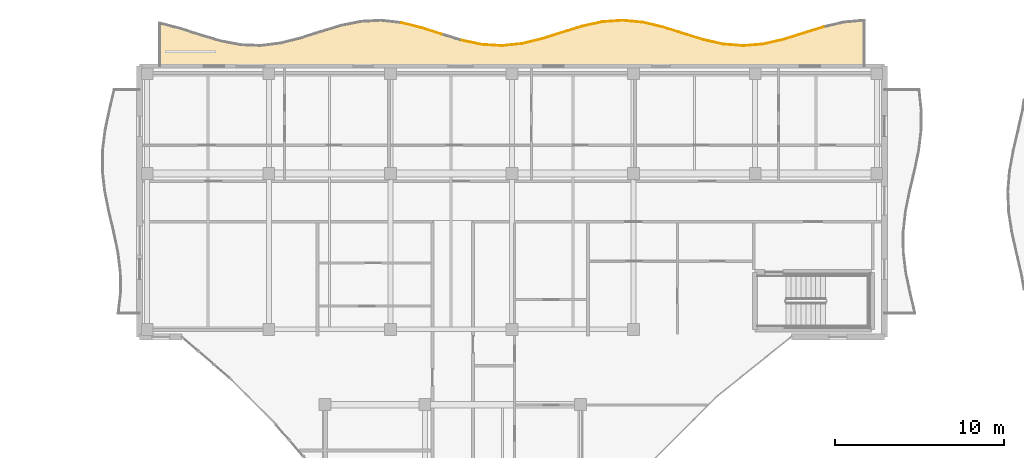
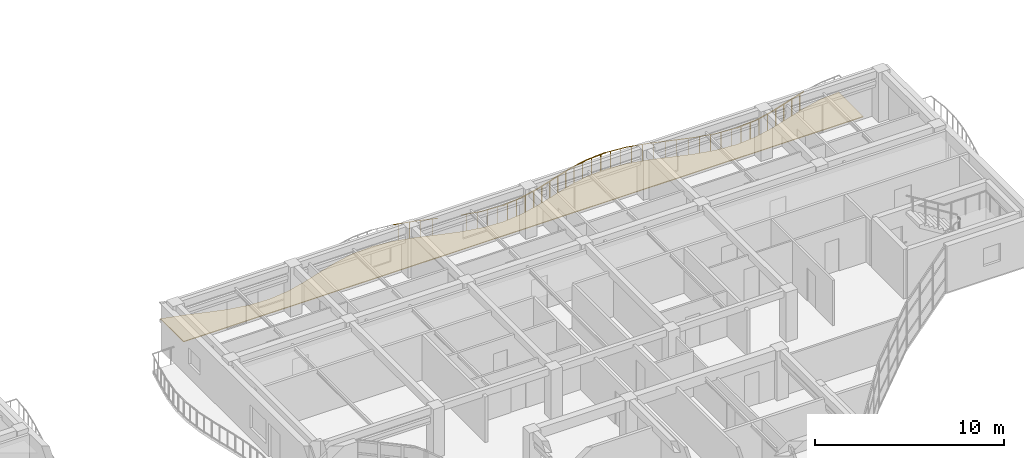
# One storey, part 121 of 128: 20 railings, 1 covering.
"""IFC4 building model written with IfcOpenShell, lengths in metres."""

from ifc_helpers import new_model, si_unit, direction, frame, origin, origin_2d, place, context, subcontext, project, spatial, polyline, circle, outline, extrude, material, layer, layer_set, type_object, element, save


model = new_model("IFC4")

# Units and contexts
model_context = context("Model", 3, precision=1e-05, world=origin(), true_north=direction((0.0, 1.0)))
body_context = subcontext(model_context, "Body", "Model", "MODEL_VIEW")
ifc_project = project(units=[si_unit("LENGTHUNIT", "METRE"), si_unit("AREAUNIT", "SQUARE_METRE"), si_unit("VOLUMEUNIT", "CUBIC_METRE"), si_unit("PLANEANGLEUNIT", "RADIAN"), si_unit("MASSUNIT", "GRAM", prefix="KILO")], contexts=[model_context])

# Site, building, storey
site_placement = place(None, origin())
site = spatial("IfcSite", under=ifc_project, at=site_placement, CompositionType="ELEMENT")
building_placement = place(site_placement, origin())
building = spatial("IfcBuilding", under=site, at=building_placement, Name="Keldmere Railside Commons", CompositionType="ELEMENT")
storey_placement = place(building_placement, frame((0.0, 0.0, 4.159912109375)))
storey = spatial("IfcBuildingStorey", under=building, at=storey_placement, Name="L01", CompositionType="ELEMENT", Elevation=4.159912109375)

# Railings
ifc_material_1 = material(Name="Steel F-24 (S235)", Category="steel")
railing_type = type_object("IfcRailingType", Name="Balcony & Terrace Steel Balustrade 1100", PredefinedType="BALUSTRADE", material=ifc_material_1)
railing_1_placement = place(storey_placement, frame((108.962890625, 118.560791015625, 0.0)))
element("IfcRailing", 1, at=railing_1_placement, inside=storey, type_object=railing_type, Name="GR-1 GRD-L01-1857", PredefinedType="BALUSTRADE", context=body_context, shape_type="SweptSolid", body=[
    extrude(circle(Radius=0.02392578125, at=origin_2d()), frame((0.0, 0.0, 1.076171875), z_axis=(0.970329812959, -0.241785140328, 0.0), x_axis=(0.241785140328, 0.970329812959, 0.0)), (0.0, 0.0, 1.0), 1.224853515625),
    extrude(circle(Radius=0.02099609375, at=origin_2d()), frame((0.297119140625, -0.073974609375, 0.0)), (0.0, 0.0, 1.0), 1.048095703125),
    extrude(circle(Radius=0.02099609375, at=origin_2d()), frame((0.891357421875, -0.22216796875, 0.0)), (0.0, 0.0, 1.0), 1.048095703125),
])
railing_2_placement = place(storey_placement, frame((110.1513671875, 118.2646484375, 0.0)))
element("IfcRailing", 2, at=railing_2_placement, inside=storey, type_object=railing_type, Name="GR-1 GRD-L01-1858", PredefinedType="BALUSTRADE", context=body_context, shape_type="SweptSolid", body=[
    extrude(circle(Radius=0.02392578125, at=origin_2d()), frame((0.0, 0.0, 1.076171875), z_axis=(0.95276888788, -0.303696306016, 0.0), x_axis=(0.303696306016, 0.95276888788, 0.0)), (0.0, 0.0, 1.0), 1.24755859375),
    extrude(circle(Radius=0.02099609375, at=origin_2d()), frame((0.297119140625, -0.0947265625, 0.0)), (0.0, 0.0, 1.0), 1.048095703125),
    extrude(circle(Radius=0.02099609375, at=origin_2d()), frame((0.8916015625, -0.2841796875, 0.0)), (0.0, 0.0, 1.0), 1.048095703125),
])
railing_3_placement = place(storey_placement, frame((112.528564453125, 117.523681640625, 0.0)))
element("IfcRailing", 3, at=railing_3_placement, inside=storey, type_object=railing_type, Name="GR-1 GRD-L01-1860", PredefinedType="BALUSTRADE", context=body_context, shape_type="SweptSolid", body=[
    extrude(circle(Radius=0.02392578125, at=origin_2d()), frame((0.0, 0.0, 1.076171875), z_axis=(0.978624374575, -0.205655861789, 0.0), x_axis=(0.205655861789, 0.978624374575, 0.0)), (0.0, 0.0, 1.0), 1.21435546875),
    extrude(circle(Radius=0.02099609375, at=origin_2d()), frame((0.297119140625, -0.0625, 0.0)), (0.0, 0.0, 1.0), 1.048095703125),
    extrude(circle(Radius=0.02099609375, at=origin_2d()), frame((0.891357421875, -0.187255859375, 0.0)), (0.0, 0.0, 1.0), 1.048095703125),
])
railing_4_placement = place(storey_placement, frame((113.717041015625, 117.27392578125, 0.0)))
element("IfcRailing", 4, at=railing_4_placement, inside=storey, type_object=railing_type, Name="GR-1 GRD-L01-1861", PredefinedType="BALUSTRADE", context=body_context, shape_type="SweptSolid", body=[
    extrude(circle(Radius=0.02392578125, at=origin_2d()), frame((0.0, 0.0, 1.076171875), z_axis=(0.998169621829, -0.060476491772, 0.0), x_axis=(0.060476491772, 0.998169621829, 0.0)), (0.0, 0.0, 1.0), 1.19091796875),
    extrude(circle(Radius=0.02099609375, at=origin_2d()), frame((0.297119140625, -0.01806640625, 0.0)), (0.0, 0.0, 1.0), 1.048095703125),
    extrude(circle(Radius=0.02099609375, at=origin_2d()), frame((0.8916015625, -0.053955078125, 0.0)), (0.0, 0.0, 1.0), 1.048095703125),
])
railing_5_placement = place(storey_placement, frame((114.90576171875, 117.201904296875, 0.0)))
element("IfcRailing", 5, at=railing_5_placement, inside=storey, type_object=railing_type, Name="GR-1 GRD-L01-1862", PredefinedType="BALUSTRADE", context=body_context, shape_type="SweptSolid", body=[
    extrude(circle(Radius=0.02392578125, at=origin_2d()), frame((0.0, 0.0, 1.076171875), z_axis=(0.994535636773, 0.104397639768, 0.0), x_axis=(-0.104397639768, 0.994535636773, 0.0)), (0.0, 0.0, 1.0), 1.195068359375),
    extrude(circle(Radius=0.02099609375, at=origin_2d()), frame((0.297119140625, 0.03125, 0.0)), (0.0, 0.0, 1.0), 1.048095703125),
    extrude(circle(Radius=0.02099609375, at=origin_2d()), frame((0.891357421875, 0.093505859375, 0.0)), (0.0, 0.0, 1.0), 1.048095703125),
])
railing_6_placement = place(storey_placement, frame((116.09423828125, 117.32666015625, 0.0)))
element("IfcRailing", 6, at=railing_6_placement, inside=storey, type_object=railing_type, Name="GR-1 GRD-L01-1863", PredefinedType="BALUSTRADE", context=body_context, shape_type="SweptSolid", body=[
    extrude(circle(Radius=0.02392578125, at=origin_2d()), frame((0.0, 0.0, 1.076171875), z_axis=(0.971775277588, 0.235908477739, 0.0), x_axis=(-0.235908477739, 0.971775277588, 0.0)), (0.0, 0.0, 1.0), 1.22314453125),
    extrude(circle(Radius=0.02099609375, at=origin_2d()), frame((0.297119140625, 0.072265625, 0.0)), (0.0, 0.0, 1.0), 1.048095703125),
    extrude(circle(Radius=0.02099609375, at=origin_2d()), frame((0.8916015625, 0.21630859375, 0.0)), (0.0, 0.0, 1.0), 1.048095703125),
])
railing_7_placement = place(storey_placement, frame((117.282958984375, 117.615234375, 0.0)))
element("IfcRailing", 7, at=railing_7_placement, inside=storey, type_object=railing_type, Name="GR-1 GRD-L01-1864", PredefinedType="BALUSTRADE", context=body_context, shape_type="SweptSolid", body=[
    extrude(circle(Radius=0.02392578125, at=origin_2d()), frame((0.0, 0.0, 1.076171875), z_axis=(0.953259530259, 0.302152722923, 0.0), x_axis=(-0.302152722923, 0.953259530259, 0.0)), (0.0, 0.0, 1.0), 1.246826171875),
    extrude(circle(Radius=0.02099609375, at=origin_2d()), frame((0.297119140625, 0.09423828125, 0.0)), (0.0, 0.0, 1.0), 1.048095703125),
    extrude(circle(Radius=0.02099609375, at=origin_2d()), frame((0.891357421875, 0.282470703125, 0.0)), (0.0, 0.0, 1.0), 1.048095703125),
])
railing_8_placement = place(storey_placement, frame((118.471435546875, 117.991943359375, 0.0)))
element("IfcRailing", 8, at=railing_8_placement, inside=storey, type_object=railing_type, Name="GR-1 GRD-L01-1865", PredefinedType="BALUSTRADE", context=body_context, shape_type="SweptSolid", body=[
    extrude(circle(Radius=0.02392578125, at=origin_2d()), frame((0.0, 0.0, 1.076171875), z_axis=(0.955770518057, 0.294113442081, 0.0), x_axis=(-0.294113442081, 0.955770518057, 0.0)), (0.0, 0.0, 1.0), 1.243408203125),
    extrude(circle(Radius=0.02099609375, at=origin_2d()), frame((0.297119140625, 0.09130859375, 0.0)), (0.0, 0.0, 1.0), 1.048095703125),
    extrude(circle(Radius=0.02099609375, at=origin_2d()), frame((0.891357421875, 0.2744140625, 0.0)), (0.0, 0.0, 1.0), 1.048095703125),
])
railing_9_placement = place(storey_placement, frame((119.659912109375, 118.357666015625, 0.0)))
element("IfcRailing", 9, at=railing_9_placement, inside=storey, type_object=railing_type, Name="GR-1 GRD-L01-1866", PredefinedType="BALUSTRADE", context=body_context, shape_type="SweptSolid", body=[
    extrude(circle(Radius=0.02392578125, at=origin_2d()), frame((0.0, 0.0, 1.076171875), z_axis=(0.97719628447, 0.212337989108, 0.0), x_axis=(-0.212337989108, 0.97719628447, 0.0)), (0.0, 0.0, 1.0), 1.216552734375),
    extrude(circle(Radius=0.02099609375, at=origin_2d()), frame((0.297119140625, 0.064453125, 0.0)), (0.0, 0.0, 1.0), 1.048095703125),
    extrude(circle(Radius=0.02099609375, at=origin_2d()), frame((0.8916015625, 0.19384765625, 0.0)), (0.0, 0.0, 1.0), 1.048095703125),
])
railing_10_placement = place(storey_placement, frame((120.8486328125, 118.615966796875, 0.0)))
element("IfcRailing", 10, at=railing_10_placement, inside=storey, type_object=railing_type, Name="GR-1 GRD-L01-1867", PredefinedType="BALUSTRADE", context=body_context, shape_type="SweptSolid", body=[
    extrude(circle(Radius=0.02392578125, at=origin_2d()), frame((0.0, 0.0, 1.076171875), z_axis=(0.997541234936, 0.07008198487, 0.0), x_axis=(-0.07008198487, 0.997541234936, 0.0)), (0.0, 0.0, 1.0), 1.19140625),
    extrude(circle(Radius=0.02099609375, at=origin_2d()), frame((0.297119140625, 0.02099609375, 0.0)), (0.0, 0.0, 1.0), 1.048095703125),
    extrude(circle(Radius=0.02099609375, at=origin_2d()), frame((0.891357421875, 0.0625, 0.0)), (0.0, 0.0, 1.0), 1.048095703125),
])
railing_11_placement = place(storey_placement, frame((122.037109375, 118.699462890625, 0.0)))
element("IfcRailing", 11, at=railing_11_placement, inside=storey, type_object=railing_type, Name="GR-1 GRD-L01-1868", PredefinedType="BALUSTRADE", context=body_context, shape_type="SweptSolid", body=[
    extrude(circle(Radius=0.02392578125, at=origin_2d()), frame((0.0, 0.0, 1.076171875), z_axis=(0.99544940322, -0.095291582149, 0.0), x_axis=(0.095291582149, 0.99544940322, 0.0)), (0.0, 0.0, 1.0), 1.19384765625),
    extrude(circle(Radius=0.02099609375, at=origin_2d()), frame((0.297119140625, -0.0283203125, 0.0)), (0.0, 0.0, 1.0), 1.048095703125),
    extrude(circle(Radius=0.02099609375, at=origin_2d()), frame((0.891357421875, -0.08544921875, 0.0)), (0.0, 0.0, 1.0), 1.048095703125),
])
railing_12_placement = place(storey_placement, frame((123.2255859375, 118.585693359375, 0.0)))
element("IfcRailing", 12, at=railing_12_placement, inside=storey, type_object=railing_type, Name="GR-1 GRD-L01-1869", PredefinedType="BALUSTRADE", context=body_context, shape_type="SweptSolid", body=[
    extrude(circle(Radius=0.02392578125, at=origin_2d()), frame((0.0, 0.0, 1.076171875), z_axis=(0.973178104335, -0.230052987901, 0.0), x_axis=(0.230052987901, 0.973178104335, 0.0)), (0.0, 0.0, 1.0), 1.221435546875),
    extrude(circle(Radius=0.02099609375, at=origin_2d()), frame((0.297119140625, -0.0703125, 0.0)), (0.0, 0.0, 1.0), 1.048095703125),
    extrude(circle(Radius=0.02099609375, at=origin_2d()), frame((0.8916015625, -0.210693359375, 0.0)), (0.0, 0.0, 1.0), 1.048095703125),
])
railing_13_placement = place(storey_placement, frame((124.414306640625, 118.3046875, 0.0)))
element("IfcRailing", 13, at=railing_13_placement, inside=storey, type_object=railing_type, Name="GR-1 GRD-L01-1870", PredefinedType="BALUSTRADE", context=body_context, shape_type="SweptSolid", body=[
    extrude(circle(Radius=0.02392578125, at=origin_2d()), frame((0.0, 0.0, 1.076171875), z_axis=(0.953822225275, -0.300371707343, 0.0), x_axis=(0.300371707343, 0.953822225275, 0.0)), (0.0, 0.0, 1.0), 1.24609375),
    extrude(circle(Radius=0.02099609375, at=origin_2d()), frame((0.297119140625, -0.093505859375, 0.0)), (0.0, 0.0, 1.0), 1.048095703125),
    extrude(circle(Radius=0.02099609375, at=origin_2d()), frame((0.891357421875, -0.28076171875, 0.0)), (0.0, 0.0, 1.0), 1.048095703125),
])
railing_14_placement = place(storey_placement, frame((125.602783203125, 117.930419921875, 0.0)))
element("IfcRailing", 14, at=railing_14_placement, inside=storey, type_object=railing_type, Name="GR-1 GRD-L01-1871", PredefinedType="BALUSTRADE", context=body_context, shape_type="SweptSolid", body=[
    extrude(circle(Radius=0.02392578125, at=origin_2d()), frame((0.0, 0.0, 1.076171875), z_axis=(0.955067966179, -0.296386875518, 0.0), x_axis=(0.296386875518, 0.955067966179, 0.0)), (0.0, 0.0, 1.0), 1.24462890625),
    extrude(circle(Radius=0.02099609375, at=origin_2d()), frame((0.297119140625, -0.09228515625, 0.0)), (0.0, 0.0, 1.0), 1.048095703125),
    extrude(circle(Radius=0.02099609375, at=origin_2d()), frame((0.8916015625, -0.276611328125, 0.0)), (0.0, 0.0, 1.0), 1.048095703125),
])
railing_15_placement = place(storey_placement, frame((126.79150390625, 117.5615234375, 0.0)))
element("IfcRailing", 15, at=railing_15_placement, inside=storey, type_object=railing_type, Name="GR-1 GRD-L01-1872", PredefinedType="BALUSTRADE", context=body_context, shape_type="SweptSolid", body=[
    extrude(circle(Radius=0.02392578125, at=origin_2d()), frame((0.0, 0.0, 1.076171875), z_axis=(0.975708383551, -0.219073390144, 0.0), x_axis=(0.219073390144, 0.975708383551, 0.0)), (0.0, 0.0, 1.0), 1.218017578125),
    extrude(circle(Radius=0.02099609375, at=origin_2d()), frame((0.297119140625, -0.066650390625, 0.0)), (0.0, 0.0, 1.0), 1.048095703125),
    extrude(circle(Radius=0.02099609375, at=origin_2d()), frame((0.891357421875, -0.2001953125, 0.0)), (0.0, 0.0, 1.0), 1.048095703125),
])
railing_16_placement = place(storey_placement, frame((127.97998046875, 117.294677734375, 0.0)))
element("IfcRailing", 16, at=railing_16_placement, inside=storey, type_object=railing_type, Name="GR-1 GRD-L01-1873", PredefinedType="BALUSTRADE", context=body_context, shape_type="SweptSolid", body=[
    extrude(circle(Radius=0.02392578125, at=origin_2d()), frame((0.0, 0.0, 1.076171875), z_axis=(0.996839967667, -0.079436004817, 0.0), x_axis=(0.079436004817, 0.996839967667, 0.0)), (0.0, 0.0, 1.0), 1.1923828125),
    extrude(circle(Radius=0.02099609375, at=origin_2d()), frame((0.297119140625, -0.023681640625, 0.0)), (0.0, 0.0, 1.0), 1.048095703125),
    extrude(circle(Radius=0.02099609375, at=origin_2d()), frame((0.8916015625, -0.071044921875, 0.0)), (0.0, 0.0, 1.0), 1.048095703125),
])
railing_17_placement = place(storey_placement, frame((129.168701171875, 117.199951171875, 0.0)))
element("IfcRailing", 17, at=railing_17_placement, inside=storey, type_object=railing_type, Name="GR-1 GRD-L01-1874", PredefinedType="BALUSTRADE", context=body_context, shape_type="SweptSolid", body=[
    extrude(circle(Radius=0.02392578125, at=origin_2d()), frame((0.0, 0.0, 1.076171875), z_axis=(0.996281179701, 0.086161539986, 0.0), x_axis=(-0.086161539986, 0.996281179701, 0.0)), (0.0, 0.0, 1.0), 1.19287109375),
    extrude(circle(Radius=0.02099609375, at=origin_2d()), frame((0.297119140625, 0.025634765625, 0.0)), (0.0, 0.0, 1.0), 1.048095703125),
    extrude(circle(Radius=0.02099609375, at=origin_2d()), frame((0.891357421875, 0.0771484375, 0.0)), (0.0, 0.0, 1.0), 1.048095703125),
])
railing_18_placement = place(storey_placement, frame((130.357177734375, 117.302734375, 0.0)))
element("IfcRailing", 18, at=railing_18_placement, inside=storey, type_object=railing_type, Name="GR-1 GRD-L01-1875", PredefinedType="BALUSTRADE", context=body_context, shape_type="SweptSolid", body=[
    extrude(circle(Radius=0.02392578125, at=origin_2d()), frame((0.0, 0.0, 1.076171875), z_axis=(0.974626862019, 0.223835832321, 0.0), x_axis=(-0.223835832321, 0.974626862019, 0.0)), (0.0, 0.0, 1.0), 1.219482421875),
    extrude(circle(Radius=0.02099609375, at=origin_2d()), frame((0.297119140625, 0.068359375, 0.0)), (0.0, 0.0, 1.0), 1.048095703125),
    extrude(circle(Radius=0.02099609375, at=origin_2d()), frame((0.891357421875, 0.20458984375, 0.0)), (0.0, 0.0, 1.0), 1.048095703125),
])
railing_19_placement = place(storey_placement, frame((131.545654296875, 117.57568359375, 0.0)))
element("IfcRailing", 19, at=railing_19_placement, inside=storey, type_object=railing_type, Name="GR-1 GRD-L01-1876", PredefinedType="BALUSTRADE", context=body_context, shape_type="SweptSolid", body=[
    extrude(circle(Radius=0.02392578125, at=origin_2d()), frame((0.0, 0.0, 1.076171875), z_axis=(0.954511366811, 0.298174530483, 0.0), x_axis=(-0.298174530483, 0.954511366811, 0.0)), (0.0, 0.0, 1.0), 1.245361328125),
    extrude(circle(Radius=0.02099609375, at=origin_2d()), frame((0.297119140625, 0.0927734375, 0.0)), (0.0, 0.0, 1.0), 1.048095703125),
    extrude(circle(Radius=0.02099609375, at=origin_2d()), frame((0.8916015625, 0.278564453125, 0.0)), (0.0, 0.0, 1.0), 1.048095703125),
])
railing_20_placement = place(storey_placement, frame((132.734375, 117.947021484375, 0.0)))
element("IfcRailing", 20, at=railing_20_placement, inside=storey, type_object=railing_type, Name="GR-1 GRD-L01-1877", PredefinedType="BALUSTRADE", context=body_context, shape_type="SweptSolid", body=[
    extrude(circle(Radius=0.02392578125, at=origin_2d()), frame((0.0, 0.0, 1.076171875), z_axis=(0.954326367809, 0.298766102001, 0.0), x_axis=(-0.298766102001, 0.954326367809, 0.0)), (0.0, 0.0, 1.0), 1.245361328125),
    extrude(circle(Radius=0.02099609375, at=origin_2d()), frame((0.297119140625, 0.093017578125, 0.0)), (0.0, 0.0, 1.0), 1.048095703125),
    extrude(circle(Radius=0.02099609375, at=origin_2d()), frame((0.891357421875, 0.279052734375, 0.0)), (0.0, 0.0, 1.0), 1.048095703125),
])

# Covering
ifc_material_2 = material(Name="White Precast Concrete C35/45", Category="concrete")
ifc_layer = layer(ifc_material_2, 0.044921875, Name="White Architectural Balcony Ribbon Cladding 45")
ifc_layer_set = layer_set([ifc_layer], Name="White Precast Concrete C35/45")
covering_type = type_object("IfcCoveringType", Name="White Architectural Balcony Ribbon Cladding 45", PredefinedType="FLOORING", material=ifc_layer_set)
covering_placement = place(storey_placement, origin())
element("IfcCovering", 21, at=covering_placement, inside=storey, type_object=covering_type, Name="CLG-WB B L01 N White Balcony Ribbon", PredefinedType="FLOORING", context=body_context, shape_type="SweptSolid", body=[
    extrude(outline(polyline([(136.260009765625, 116.0400390625), (136.260009765625, 118.65625), (135.11767578125, 118.5546875), (133.933349609375, 118.280517578125), (132.746337890625, 117.90869140625), (131.5576171875, 117.53759765625), (131.5546875, 117.53662109375), (130.3662109375, 117.263671875), (130.360595703125, 117.2626953125), (129.172119140625, 117.16015625), (129.168701171875, 117.159912109375), (129.165283203125, 117.16015625), (127.976806640625, 117.254638671875), (127.97119140625, 117.255615234375), (126.78271484375, 117.5224609375), (126.779541015625, 117.523193359375), (125.591064453125, 117.892333984375), (125.5908203125, 117.892333984375), (124.40380859375, 118.26611328125), (123.21923828125, 118.5458984375), (122.03662109375, 118.6591796875), (120.854248046875, 118.576416015625), (119.670166015625, 118.31884765625), (118.4833984375, 117.95361328125), (117.294921875, 117.5771484375), (117.292236328125, 117.576416015625), (116.103759765625, 117.28759765625), (116.098388671875, 117.286865234375), (114.909912109375, 117.162109375), (114.906494140625, 117.161865234375), (114.9033203125, 117.162109375), (113.714599609375, 117.23388671875), (113.708984375, 117.23486328125), (112.5205078125, 117.484619140625), (112.516845703125, 117.485595703125), (111.328369140625, 117.847412109375), (111.327880859375, 117.84765625), (110.140380859375, 118.22607421875), (108.955810546875, 118.521240234375), (107.77294921875, 118.656005859375), (106.5908203125, 118.595703125), (105.406982421875, 118.355712890625), (104.220458984375, 117.998291015625), (103.0322265625, 117.617919921875), (103.02978515625, 117.6171875), (101.84130859375, 117.313720703125), (101.836181640625, 117.31298828125), (100.647705078125, 117.166748046875), (100.64453125, 117.16650390625), (100.64111328125, 117.16650390625), (99.45263671875, 117.2158203125), (99.44970703125, 117.216064453125), (99.446533203125, 117.21630859375), (98.258056640625, 117.448486328125), (98.25439453125, 117.449462890625), (97.065673828125, 117.802978515625), (97.06494140625, 117.802978515625), (95.87744140625, 118.184814453125), (94.739990234375, 118.481689453125), (94.739990234375, 116.0400390625), (136.260009765625, 116.0400390625)])), origin(), (0.0, 0.0, 1.0), 0.045166015625),
])

save(model, "model.ifc")
